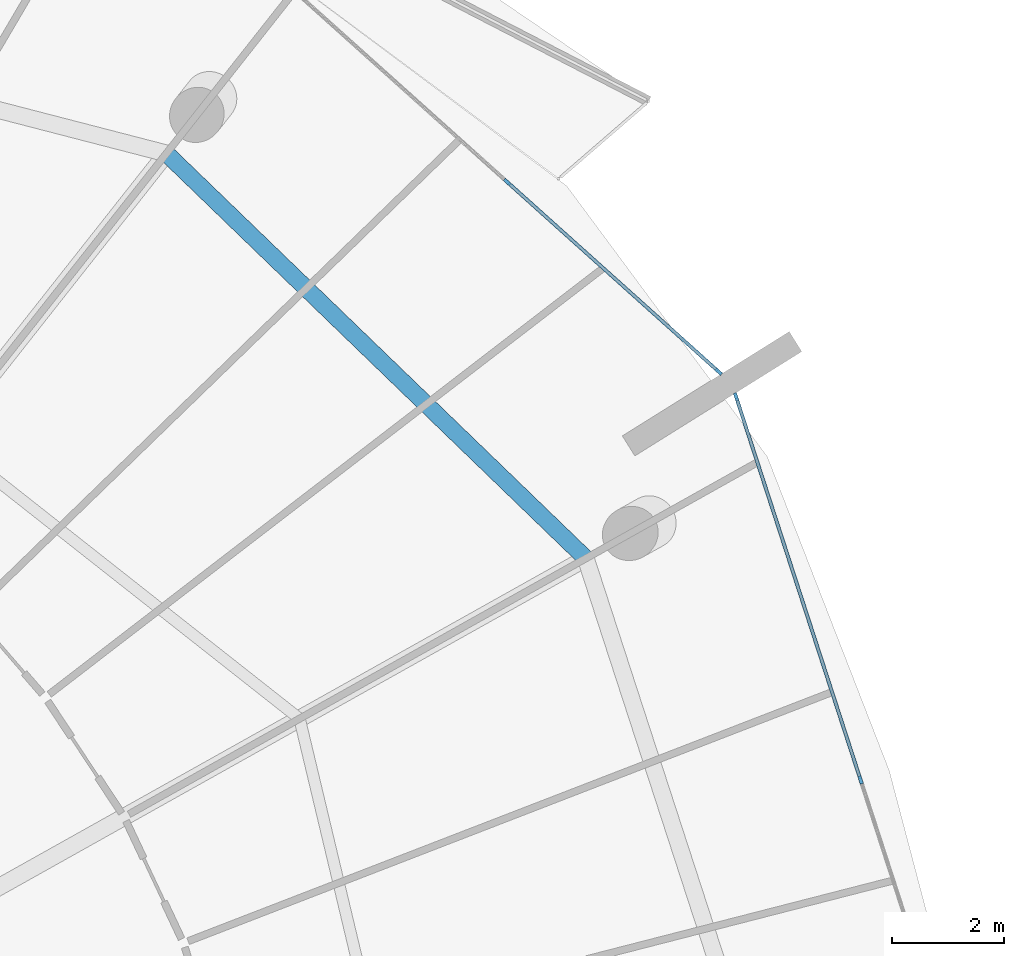
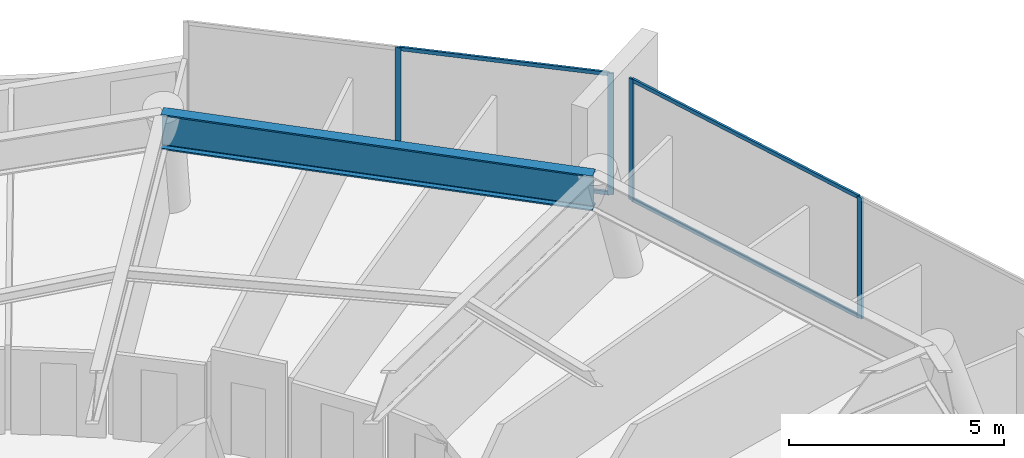
# One storey, part 15 of 30: 8 members, 1 beam, 2 elements without a shape of their own.
"""IFC4 building model written with IfcOpenShell, lengths in metres."""

import ifcopenshell
import ifcopenshell.guid

model = None  # the IFC model being written
_history = None  # IfcOwnerHistory: only IFC2X3 demands one
_inside = {}  # id of a spatial element -> (the spatial element, [elements in it])
_under = {}  # id of a project, library or spatial element -> (it, [spatial elements below it])
_declared = {}  # id of a project -> (the project, [libraries it declares])
_typed = {}  # id of a type object -> (the type object, [elements of that type])
_made_of = {}  # id of a material, layer set ... -> (it, [elements and type objects made of it])


def new_model(schema):
    """Start an empty IFC model of exactly this schema.

    Asked for "IFC4X3", IfcOpenShell would pick the latest addendum, in which some entities
    have other attributes; the version numbers below select the first issue.
    IFC2X3 requires an IfcOwnerHistory on every rooted entity: one is made here for all.
    """
    global model, _history
    if schema == "IFC4X3":
        model = ifcopenshell.file(schema_version=(4, 3, 0, 0))
    else:
        model = ifcopenshell.file(schema=schema)
    _inside.clear()
    _under.clear()
    _declared.clear()
    _typed.clear()
    _made_of.clear()
    _history = None
    if model.schema == "IFC2X3":
        org = make("IfcOrganization", Name="unknown")
        user = make(
            "IfcPersonAndOrganization",
            ThePerson=make("IfcPerson", FamilyName="unknown"),
            TheOrganization=org,
        )
        app = make(
            "IfcApplication",
            ApplicationDeveloper=org,
            Version="unknown",
            ApplicationFullName="unknown",
            ApplicationIdentifier="unknown",
        )
        _history = make(
            "IfcOwnerHistory",
            OwningUser=user,
            OwningApplication=app,
            ChangeAction="ADDED",
            CreationDate=0,
        )
    return model


def make(cls, **values):
    """One entity of the class cls with the attributes given. An attribute that is None is left unset."""
    return model.create_entity(
        cls, **{name: value for name, value in values.items() if value is not None}
    )


def rooted(cls, **values):
    """An entity with a GlobalId (a new one), such as an element, a storey or a relation."""
    return make(cls, GlobalId=ifcopenshell.guid.new(), OwnerHistory=_history, **values)


def si_unit(unit_type, name, prefix=None):
    """IfcSIUnit, for example si_unit("LENGTHUNIT", "METRE", prefix="MILLI")."""
    return make("IfcSIUnit", UnitType=unit_type, Prefix=prefix, Name=name)


def assignment(units):
    """IfcUnitAssignment: the units of a project."""
    return None if units is None else make("IfcUnitAssignment", Units=units)


def point(xyz):
    """IfcCartesianPoint."""
    return None if xyz is None else make("IfcCartesianPoint", Coordinates=xyz)


def direction(xyz):
    """IfcDirection."""
    return None if xyz is None else make("IfcDirection", DirectionRatios=xyz)


def frame(location, z_axis=None, x_axis=None):
    """IfcAxis2Placement3D, a coordinate frame: its origin and axes. An axis left out is left unset."""
    return make(
        "IfcAxis2Placement3D",
        Location=point(location),
        Axis=direction(z_axis),
        RefDirection=direction(x_axis),
    )


def frame_2d(location, x_axis=None):
    """IfcAxis2Placement2D, a coordinate frame in the plane: its origin and x axis."""
    return make(
        "IfcAxis2Placement2D", Location=point(location), RefDirection=direction(x_axis)
    )


def origin():
    """The frame at (0, 0, 0) with its axes left unset."""
    return frame((0.0, 0.0, 0.0))


def origin_2d():
    """The frame at (0, 0) in the plane with its x axis left unset."""
    return frame_2d((0.0, 0.0))


def place(relative_to, where):
    """IfcLocalPlacement: puts the frame where relative to a parent placement (None: the world)."""
    return make(
        "IfcLocalPlacement", PlacementRelTo=relative_to, RelativePlacement=where
    )


def context(
    kind, dimensions, precision=None, world=None, true_north=None, identifier=None
):
    """IfcGeometricRepresentationContext, for example the 3D "Model" context."""
    return make(
        "IfcGeometricRepresentationContext",
        ContextIdentifier=identifier,
        ContextType=kind,
        CoordinateSpaceDimension=dimensions,
        Precision=precision,
        WorldCoordinateSystem=world,
        TrueNorth=true_north,
    )


def subcontext(parent, identifier, kind, view, scale=None):
    """IfcGeometricRepresentationSubContext, for example "Body" below "Model"."""
    return make(
        "IfcGeometricRepresentationSubContext",
        ContextIdentifier=identifier,
        ContextType=kind,
        ParentContext=parent,
        TargetScale=scale,
        TargetView=view,
    )


def project(units=None, contexts=None):
    """IfcProject with its units and contexts."""
    return rooted(
        "IfcProject",
        Name="project",
        RepresentationContexts=contexts,
        UnitsInContext=assignment(units),
    )


def spatial(cls, under=None, at=None, **own):
    """A site, building, storey or space (cls), placed at a placement, below another one or the project."""
    s = rooted(cls, ObjectPlacement=at, **own)
    if under is not None:
        _under.setdefault(under.id(), (under, []))[1].append(s)
    return s


def profile(cls, at=None, kind="AREA", **sizes):
    """A parametric profile (cls). Its sizes go by their IFC names, for example OverallWidth=200.0."""
    return make(cls, ProfileType=kind, Position=at, **sizes)


def rectangle(**sizes):
    """IfcRectangleProfileDef."""
    return profile("IfcRectangleProfileDef", **sizes)


def i_section(**sizes):
    """IfcIShapeProfileDef."""
    return profile("IfcIShapeProfileDef", **sizes)


def extrude(swept, where, along, depth):
    """IfcExtrudedAreaSolid: the profile swept, set in the frame where, extruded along a direction by depth."""
    return make(
        "IfcExtrudedAreaSolid",
        SweptArea=swept,
        Position=where,
        ExtrudedDirection=direction(along),
        Depth=depth,
    )


def shape(context_of_items, identifier, shape_type, items):
    """IfcShapeRepresentation: the items that make up one representation, for example the "Body"."""
    return make(
        "IfcShapeRepresentation",
        ContextOfItems=context_of_items,
        RepresentationIdentifier=identifier,
        RepresentationType=shape_type,
        Items=items,
    )


def material(Name=None, Category=None):
    """IfcMaterial."""
    return make("IfcMaterial", Name=Name, Category=Category)


def layer(
    of_material, thickness, ventilated=None, Name=None, Category=None, Priority=None
):
    """IfcMaterialLayer: one layer of a wall or slab, of a material (None: an air gap)."""
    return make(
        "IfcMaterialLayer",
        Material=of_material,
        LayerThickness=thickness,
        IsVentilated=ventilated,
        Name=Name,
        Category=Category,
        Priority=Priority,
    )


def layer_set(layers, Name=None):
    """IfcMaterialLayerSet."""
    return make("IfcMaterialLayerSet", MaterialLayers=layers, LayerSetName=Name)


def material_profile(
    of_material, cross_section, Name=None, Category=None, Priority=None
):
    """IfcMaterialProfile: a cross section and its material."""
    return make(
        "IfcMaterialProfile",
        Name=Name,
        Material=of_material,
        Profile=cross_section,
        Priority=Priority,
        Category=Category,
    )


def profile_set(profiles, Name=None, composite=None):
    """IfcMaterialProfileSet."""
    return make(
        "IfcMaterialProfileSet",
        Name=Name,
        MaterialProfiles=profiles,
        CompositeProfile=composite,
    )


def made_of(thing, what):
    """Note that an element or type object is made of a material, layer set ...; save() writes the relation."""
    if what is not None:
        _made_of.setdefault(what.id(), (what, []))[1].append(thing)
    return thing


def type_object(cls, material=None, **own):
    """A type object (cls), such as IfcWallType, which elements share."""
    return made_of(rooted(cls, **own), material)


def element(
    cls,
    number,
    at=None,
    inside=None,
    cuts=None,
    type_object=None,
    material=None,
    context=None,
    identifier="Body",
    shape_type=None,
    held_by="IfcProductDefinitionShape",
    body=None,
    shapes=None,
    **own,
):
    """One element of the class cls, such as IfcWall. Its Tag is "e" and its number.

    at: its placement. inside: the storey or other place that contains it. cuts: it is an
    opening in that element (IfcRelVoidsElement). A single representation is given by context,
    identifier, shape_type and body (its items); several are given by shapes. held_by: the class
    of the entity that holds the representations. save() writes the other relations.
    """
    e = rooted(cls, Tag="e%d" % number, ObjectPlacement=at, **own)
    if body is not None:
        shapes = [shape(context, identifier, shape_type, body)]
    if shapes is not None:
        e.Representation = make(held_by, Representations=shapes)
    if inside is not None:
        _inside.setdefault(inside.id(), (inside, []))[1].append(e)
    if cuts is not None:
        rooted(
            "IfcRelVoidsElement", RelatingBuildingElement=cuts, RelatedOpeningElement=e
        )
    if type_object is not None:
        _typed.setdefault(type_object.id(), (type_object, []))[1].append(e)
    return made_of(e, material)


def aggregate(whole, parts):
    """IfcRelAggregates: a whole, such as a stair, and the parts it consists of."""
    return rooted("IfcRelAggregates", RelatingObject=whole, RelatedObjects=parts)


def save(model, path):
    """Write the relations noted so far, then the file.

    IfcRelAggregates (storeys below a building ...), IfcRelContainedInSpatialStructure (elements
    in a storey), IfcRelDefinesByType, IfcRelAssociatesMaterial and IfcRelDeclares: one each for
    every whole, place, type object, material and project.
    """
    for whole, parts in _under.values():
        aggregate(whole, parts)
    for where, things in _inside.values():
        rooted(
            "IfcRelContainedInSpatialStructure",
            RelatedElements=things,
            RelatingStructure=where,
        )
    for kind, things in _typed.values():
        rooted("IfcRelDefinesByType", RelatedObjects=things, RelatingType=kind)
    for what, things in _made_of.values():
        rooted("IfcRelAssociatesMaterial", RelatedObjects=things, RelatingMaterial=what)
    for by, libraries in _declared.values():
        rooted("IfcRelDeclares", RelatingContext=by, RelatedDefinitions=libraries)
    model.write(path)


model = new_model("IFC4")

# Units and contexts
model_context = context("Model", 3, precision=1e-05, world=origin(), true_north=direction((0.0, 1.0)))
body_context = subcontext(model_context, "Body", "Model", "MODEL_VIEW")
ifc_project = project(units=[si_unit("LENGTHUNIT", "METRE"), si_unit("AREAUNIT", "SQUARE_METRE"), si_unit("VOLUMEUNIT", "CUBIC_METRE"), si_unit("PLANEANGLEUNIT", "RADIAN"), si_unit("MASSUNIT", "GRAM", prefix="KILO")], contexts=[model_context])

# Site, building, storey
site_placement = place(None, origin())
site = spatial("IfcSite", under=ifc_project, at=site_placement, CompositionType="ELEMENT")
building_placement = place(site_placement, origin())
building = spatial("IfcBuilding", under=site, at=building_placement, Name="Kazma Halo Residences", CompositionType="ELEMENT")
storey_placement = place(building_placement, frame((0.0, 0.0, 302.14990234375)))
storey = spatial("IfcBuildingStorey", under=building, at=storey_placement, Name="L76", CompositionType="ELEMENT", Elevation=302.14990234375)

# Beam
ifc_material_1 = material(Name="Steel S355", Category="steel")
ifc_material_profile_1 = material_profile(ifc_material_1, i_section(OverallWidth=0.300048828125, OverallDepth=1.0, WebThickness=0.01904296875, FlangeThickness=0.0400390625, FilletRadius=0.02587890625, at=origin_2d()), Name="W1000x371")
ifc_profile_set_1 = profile_set([ifc_material_profile_1], Name="Steel S355")
beam_type = type_object("IfcBeamType", Name="BM-TRANS-W1000B", PredefinedType="BEAM", material=ifc_profile_set_1)
beam_placement = place(storey_placement, frame((71.519775390625, 55.171630859375, 2.9501953125), z_axis=(-0.719337757483, 0.694660485892, 0.0), x_axis=(-0.694660485892, -0.719337757483, 0.0)))
element("IfcBeam", 1, at=beam_placement, inside=storey, type_object=beam_type, Name="L76 perimeter ring beam 01", PredefinedType="BEAM", context=body_context, shape_type="SweptSolid", body=[
    extrude(i_section(OverallWidth=0.300048828125, OverallDepth=1.0, WebThickness=0.01904296875, FlangeThickness=0.0400390625, FilletRadius=0.02587890625, at=origin_2d()), origin(), (0.0, 0.0, 1.0), 10.3681640625),
])

# Curtain wall, members
ifc_material_2 = material(Name="Aluminium AW-6063 T6 and Triple-Silver Low-E Glass", Category="aluminium")
ifc_layer = layer(ifc_material_2, 0.139892578125)
ifc_layer_set = layer_set([ifc_layer], Name="Aluminium AW-6063 T6 and Triple-Silver Low-E Glass")
curtain_wall_type = type_object("IfcCurtainWallType", Name="CW-SYS-5", PredefinedType="NOTDEFINED", material=ifc_layer_set)
curtain_wall_1_placement = place(storey_placement, origin())
curtain_wall_1 = element("IfcCurtainWall", 2, at=curtain_wall_1_placement, inside=storey, type_object=curtain_wall_type, Name="L76 unitised curtain wall B01", PredefinedType="NOTDEFINED")
ifc_material_3 = material(Name="Aluminium AW-6063 T6", Category="aluminium")
ifc_material_profile_2 = material_profile(ifc_material_3, rectangle(XDim=0.06005859375, YDim=0.139892578125, at=origin_2d()), Name="CWM-60x140")
ifc_profile_set_2 = profile_set([ifc_material_profile_2], Name="Aluminium AW-6063 T6")
member_type_1 = type_object("IfcMemberType", Name="CW-SYS-5-MUL", PredefinedType="MULLION", material=ifc_profile_set_2)
member_1_placement = place(storey_placement, frame((73.88330078125, 58.491943359375, 0.0), z_axis=(0.0, 0.0, 1.0), x_axis=(-0.667804826958, -0.744336424671, 0.0)))
member_1 = element("IfcMember", 3, at=member_1_placement, type_object=member_type_1, Name="CWS-5 mullion 1", PredefinedType="MULLION", context=body_context, shape_type="SweptSolid", body=[
    extrude(rectangle(XDim=0.06005859375, YDim=0.139892578125, at=origin_2d()), origin(), (0.0, 0.0, 1.0), 3.4501953125),
])
member_2_placement = place(storey_placement, frame((70.121826171875, 61.86669921875, 0.0), z_axis=(0.0, 0.0, 1.0), x_axis=(-0.667804826958, -0.744336424671, 0.0)))
member_2 = element("IfcMember", 4, at=member_2_placement, type_object=member_type_1, Name="CWS-5 mullion 2", PredefinedType="MULLION", context=body_context, shape_type="SweptSolid", body=[
    extrude(rectangle(XDim=0.06005859375, YDim=0.139892578125, at=origin_2d()), origin(), (0.0, 0.0, 1.0), 3.4501953125),
])

curtain_wall_2_placement = place(storey_placement, origin())
curtain_wall_2 = element("IfcCurtainWall", 5, at=curtain_wall_2_placement, inside=storey, type_object=curtain_wall_type, Name="L76 unitised curtain wall B16", PredefinedType="NOTDEFINED")
member_3_placement = place(storey_placement, frame((76.40771484375, 51.230224609375, 0.0), z_axis=(0.0, 0.0, 1.0), x_axis=(-0.951058464359, -0.309010998786, 0.0)))
member_3 = element("IfcMember", 6, at=member_3_placement, type_object=member_type_1, Name="CWS-5 mullion 2", PredefinedType="MULLION", context=body_context, shape_type="SweptSolid", body=[
    extrude(rectangle(XDim=0.06005859375, YDim=0.139892578125, at=origin_2d()), origin(), (0.0, 0.0, 1.0), 3.4501953125),
])
member_4_placement = place(storey_placement, frame((74.1923828125, 58.0478515625, 0.0), z_axis=(0.0, 0.0, 1.0), x_axis=(-0.951058464359, -0.309010998786, 0.0)))
member_4 = element("IfcMember", 7, at=member_4_placement, type_object=member_type_1, Name="CWS-5 mullion 3", PredefinedType="MULLION", context=body_context, shape_type="SweptSolid", body=[
    extrude(rectangle(XDim=0.06005859375, YDim=0.139892578125, at=origin_2d()), origin(), (0.0, 0.0, 1.0), 3.4501953125),
])

# Member
ifc_material_profile_3 = material_profile(ifc_material_3, rectangle(XDim=0.06005859375, YDim=0.10498046875, at=origin_2d()), Name="CWT-60x105")
ifc_profile_set_3 = profile_set([ifc_material_profile_3], Name="Aluminium AW-6063 T6")
member_type_2 = type_object("IfcMemberType", Name="CW-SYS-5-TRN", PredefinedType="USERDEFINED", material=ifc_profile_set_3)
member_5_placement = place(storey_placement, frame((73.861083984375, 58.511962890625, 0.030029296875), z_axis=(-0.744328897483, 0.667813216679, 0.0), x_axis=(-0.667813216679, -0.744328897483, 0.0)))
member_5 = element("IfcMember", 8, at=member_5_placement, type_object=member_type_2, Name="CWS-5 transom 1.1", ObjectType="TRANSOM", PredefinedType="USERDEFINED", context=body_context, shape_type="SweptSolid", body=[
    extrude(rectangle(XDim=0.06005859375, YDim=0.10498046875, at=origin_2d()), origin(), (0.0, 0.0, 1.0), 4.993408203125),
])

member_6_placement = place(storey_placement, frame((73.861083984375, 58.511962890625, 3.420166015625), z_axis=(-0.744328897483, 0.667813216679, 0.0), x_axis=(-0.667813216679, -0.744328897483, 0.0)))
member_6 = element("IfcMember", 9, at=member_6_placement, type_object=member_type_2, Name="CWS-5 transom 1.2", ObjectType="TRANSOM", PredefinedType="USERDEFINED", context=body_context, shape_type="SweptSolid", body=[
    extrude(rectangle(XDim=0.06005859375, YDim=0.10498046875, at=origin_2d()), origin(), (0.0, 0.0, 1.0), 4.993408203125),
])

aggregate(curtain_wall_1, [member_1, member_2, member_5, member_6])

member_7_placement = place(storey_placement, frame((76.3984375, 51.2587890625, 0.030029296875), z_axis=(-0.309027052142, 0.95105324827, 0.0), x_axis=(-0.95105324827, -0.309027052142, 0.0)))
member_7 = element("IfcMember", 10, at=member_7_placement, type_object=member_type_2, Name="CWS-5 transom 2.1", ObjectType="TRANSOM", PredefinedType="USERDEFINED", context=body_context, shape_type="SweptSolid", body=[
    extrude(rectangle(XDim=0.06005859375, YDim=0.10498046875, at=origin_2d()), origin(), (0.0, 0.0, 1.0), 7.108642578125),
])

member_8_placement = place(storey_placement, frame((76.3984375, 51.2587890625, 3.420166015625), z_axis=(-0.309027052142, 0.95105324827, 0.0), x_axis=(-0.95105324827, -0.309027052142, 0.0)))
member_8 = element("IfcMember", 11, at=member_8_placement, type_object=member_type_2, Name="CWS-5 transom 2.2", ObjectType="TRANSOM", PredefinedType="USERDEFINED", context=body_context, shape_type="SweptSolid", body=[
    extrude(rectangle(XDim=0.06005859375, YDim=0.10498046875, at=origin_2d()), origin(), (0.0, 0.0, 1.0), 7.108642578125),
])

aggregate(curtain_wall_2, [member_3, member_4, member_7, member_8])

save(model, "model.ifc")
